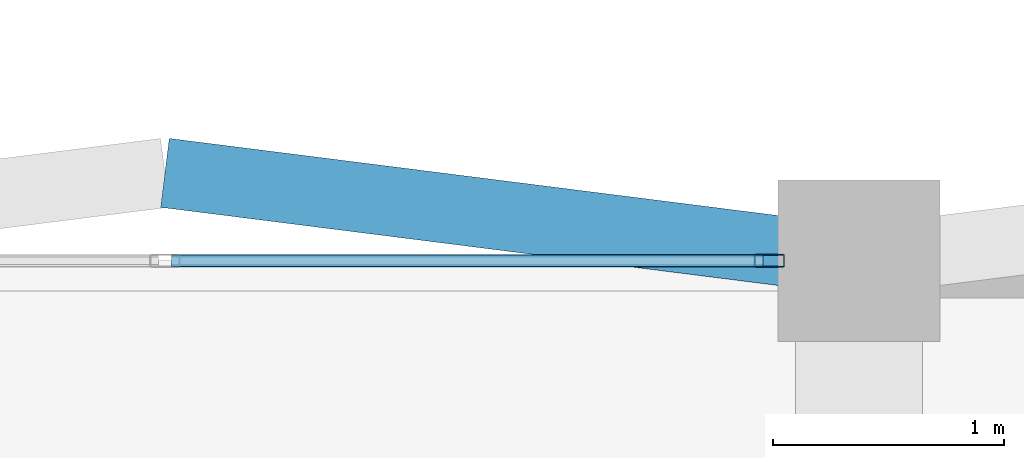
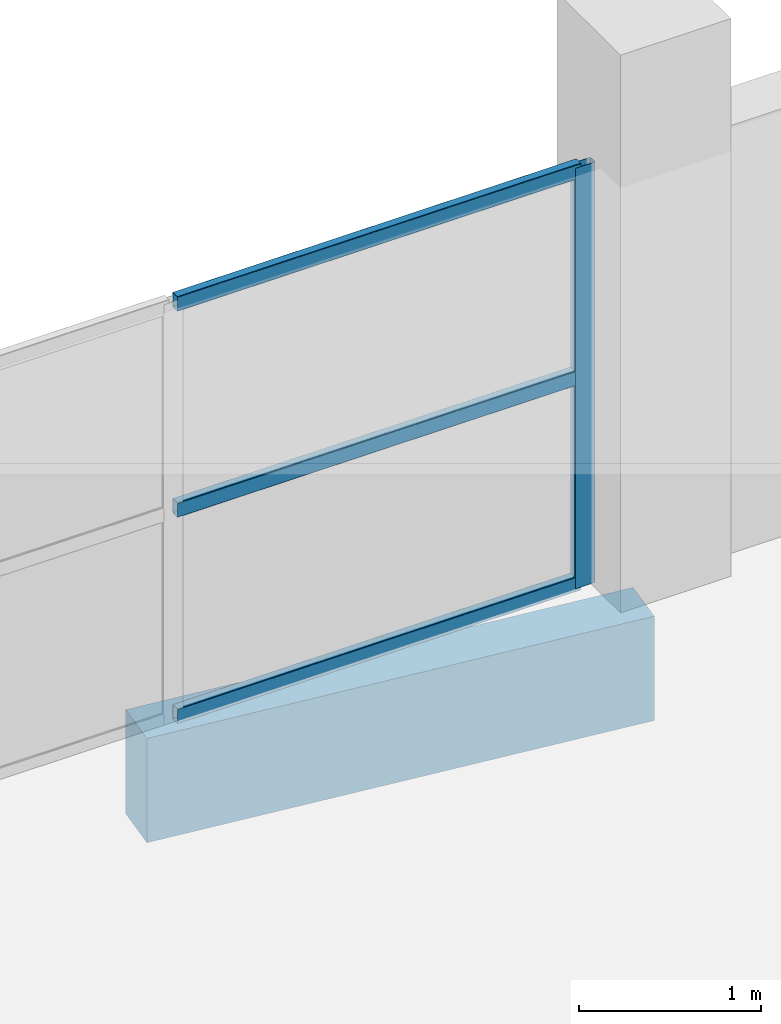
# One storey, part 16 of 239: 4 members, 1 beam, 1 element without a shape of its own.
"""IFC4 building model written with IfcOpenShell, lengths in metres."""

from ifc_helpers import new_model, si_unit, direction, frame, origin, origin_2d, place, context, subcontext, project, spatial, rectangle, hollow_rectangle, extrude, material, layer, layer_set, material_profile, profile_set, type_object, element, aggregate, save


model = new_model("IFC4")

# Units and contexts
model_context = context("Model", 3, precision=1e-05, world=origin(), true_north=direction((0.0, 1.0)))
body_context = subcontext(model_context, "Body", "Model", "MODEL_VIEW")
ifc_project = project(units=[si_unit("LENGTHUNIT", "METRE"), si_unit("AREAUNIT", "SQUARE_METRE"), si_unit("VOLUMEUNIT", "CUBIC_METRE"), si_unit("PLANEANGLEUNIT", "RADIAN"), si_unit("MASSUNIT", "GRAM", prefix="KILO")], contexts=[model_context])

# Site, building, storey
site_placement = place(None, origin())
site = spatial("IfcSite", under=ifc_project, at=site_placement, CompositionType="ELEMENT")
building_placement = place(site_placement, origin())
building = spatial("IfcBuilding", under=site, at=building_placement, Name="Dunvalen Ferry Terminal", CompositionType="ELEMENT")
storey_placement = place(building_placement, frame((0.0, 0.0, 9.840087890625)))
storey = spatial("IfcBuildingStorey", under=building, at=storey_placement, Name="L02", CompositionType="ELEMENT", Elevation=9.840087890625)

# Curtain wall, members
ifc_material_1 = material(Name="Anodised marine aluminium and solar-control glazing", Category="aluminium")
ifc_layer = layer(ifc_material_1, 0.14990234375, Name="Anodised marine aluminium and solar-control glazing")
ifc_layer_set = layer_set([ifc_layer], Name="Anodised marine aluminium and solar-control glazing")
curtain_wall_type = type_object("IfcCurtainWallType", Name="ENV-CW-SYS-11", PredefinedType="NOTDEFINED", material=ifc_layer_set)
curtain_wall_placement = place(storey_placement, origin())
curtain_wall = element("IfcCurtainWall", 1, at=curtain_wall_placement, inside=storey, type_object=curtain_wall_type, Name="L02 Curtain Wall CW-V5CORE-L02-7-4", PredefinedType="NOTDEFINED")
ifc_material_2 = material(Name="Anodised marine aluminium EN AW-6063 T6", Category="aluminium")
ifc_material_profile_1 = material_profile(ifc_material_2, hollow_rectangle(XDim=0.054931640625, YDim=0.1298828125, WallThickness=0.003173828125, InnerFilletRadius=0.003173828125, OuterFilletRadius=0.00634765625, at=origin_2d()), Name="Anodised marine aluminium EN AW-6063 T6")
ifc_profile_set_1 = profile_set([ifc_material_profile_1], Name="Anodised marine aluminium EN AW-6063 T6")
member_type_1 = type_object("IfcMemberType", Name="ENV-CW-MUL-4", PredefinedType="MULLION", material=ifc_profile_set_1)
member_1_placement = place(storey_placement, frame((47.612548828125, 36.0, 0.0), z_axis=(0.0, 0.0, 1.0), x_axis=(0.0, -1.0, 0.0)))
member_1 = element("IfcMember", 2, at=member_1_placement, type_object=member_type_1, Name="CW-11 mullion 1", PredefinedType="MULLION", context=body_context, shape_type="SweptSolid", body=[
    extrude(hollow_rectangle(XDim=0.054931640625, YDim=0.1298828125, WallThickness=0.003173828125, InnerFilletRadius=0.003173828125, OuterFilletRadius=0.00634765625, at=origin_2d()), origin(), (0.0, 0.0, 1.0), 2.81982421875),
])
ifc_material_profile_2 = material_profile(ifc_material_2, hollow_rectangle(XDim=0.054931640625, YDim=0.10009765625, WallThickness=0.0029296875, InnerFilletRadius=0.0029296875, OuterFilletRadius=0.006103515625, at=origin_2d()), Name="Anodised marine aluminium EN AW-6063 T6")
ifc_profile_set_2 = profile_set([ifc_material_profile_2], Name="Anodised marine aluminium EN AW-6063 T6")
member_type_2 = type_object("IfcMemberType", Name="ENV-CW-TRN-4", PredefinedType="USERDEFINED", material=ifc_profile_set_2)
member_2_placement = place(storey_placement, frame((47.5849609375, 36.0, 0.02734375), z_axis=(-1.0, 0.0, 0.0), x_axis=(0.0, -1.0, 0.0)))
member_2 = element("IfcMember", 3, at=member_2_placement, type_object=member_type_2, Name="CW-11 transom 1.1", ObjectType="TRANSOM", PredefinedType="USERDEFINED", context=body_context, shape_type="SweptSolid", body=[
    extrude(hollow_rectangle(XDim=0.054931640625, YDim=0.10009765625, WallThickness=0.0029296875, InnerFilletRadius=0.0029296875, OuterFilletRadius=0.006103515625, at=origin_2d()), origin(), (0.0, 0.0, 1.0), 2.557373046875),
])
member_3_placement = place(storey_placement, frame((47.5849609375, 36.0, 1.409912109375), z_axis=(-1.0, 0.0, 0.0), x_axis=(0.0, -1.0, 0.0)))
member_3 = element("IfcMember", 4, at=member_3_placement, type_object=member_type_2, Name="CW-11 transom 1.2", ObjectType="TRANSOM", PredefinedType="USERDEFINED", context=body_context, shape_type="SweptSolid", body=[
    extrude(hollow_rectangle(XDim=0.054931640625, YDim=0.10009765625, WallThickness=0.0029296875, InnerFilletRadius=0.0029296875, OuterFilletRadius=0.006103515625, at=origin_2d()), origin(), (0.0, 0.0, 1.0), 2.557373046875),
])
member_4_placement = place(storey_placement, frame((47.5849609375, 36.0, 2.79248046875), z_axis=(-1.0, 0.0, 0.0), x_axis=(0.0, -1.0, 0.0)))
member_4 = element("IfcMember", 5, at=member_4_placement, type_object=member_type_2, Name="CW-11 transom 1.3", ObjectType="TRANSOM", PredefinedType="USERDEFINED", context=body_context, shape_type="SweptSolid", body=[
    extrude(hollow_rectangle(XDim=0.054931640625, YDim=0.10009765625, WallThickness=0.0029296875, InnerFilletRadius=0.0029296875, OuterFilletRadius=0.006103515625, at=origin_2d()), origin(), (0.0, 0.0, 1.0), 2.557373046875),
])
aggregate(curtain_wall, [member_1, member_2, member_3, member_4])

# Beam
ifc_material_3 = material(Name="Concrete C40/50", Category="concrete")
ifc_material_profile_3 = material_profile(ifc_material_3, rectangle(XDim=0.300048828125, YDim=0.699951171875, at=origin_2d()), Name="Concrete C40/50")
ifc_profile_set_3 = profile_set([ifc_material_profile_3], Name="Concrete C40/50")
beam_type = type_object("IfcBeamType", Name="STR-BM-RCSP700", PredefinedType="SPANDREL", material=ifc_profile_set_3)
beam_placement = place(storey_placement, frame((45.0, 36.3798828125, -0.610107421875), z_axis=(0.992077869489, -0.12562444376, 0.0), x_axis=(0.12562444376, 0.992077869489, 0.0)))
element("IfcBeam", 6, at=beam_placement, inside=storey, type_object=beam_type, Name="L02 Passage Pilaster Spandrel Tie 06.2", PredefinedType="SPANDREL", context=body_context, shape_type="SweptSolid", body=[
    extrude(rectangle(XDim=0.300048828125, YDim=0.699951171875, at=origin_2d()), origin(), (0.0, 0.0, 1.0), 3.02392578125),
])

save(model, "model.ifc")
